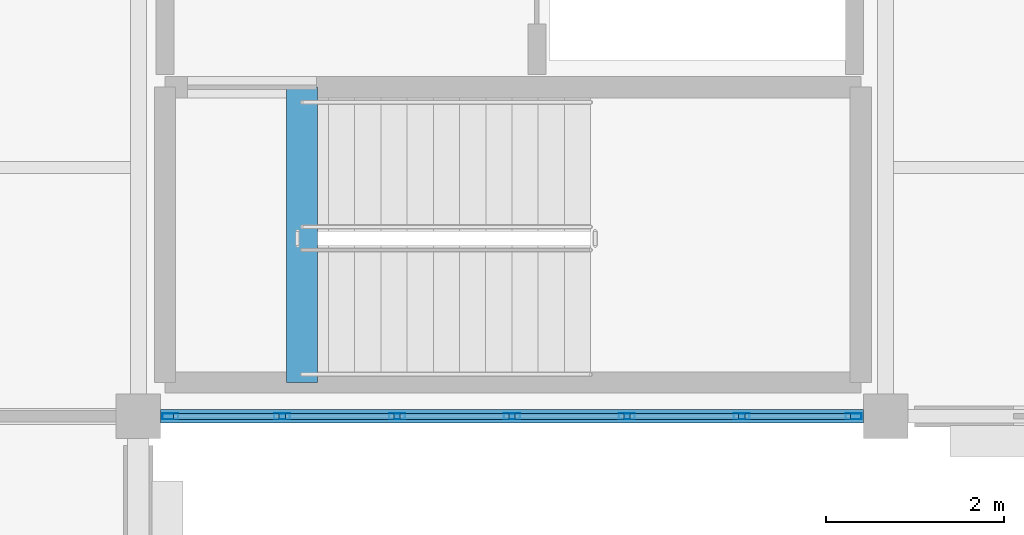
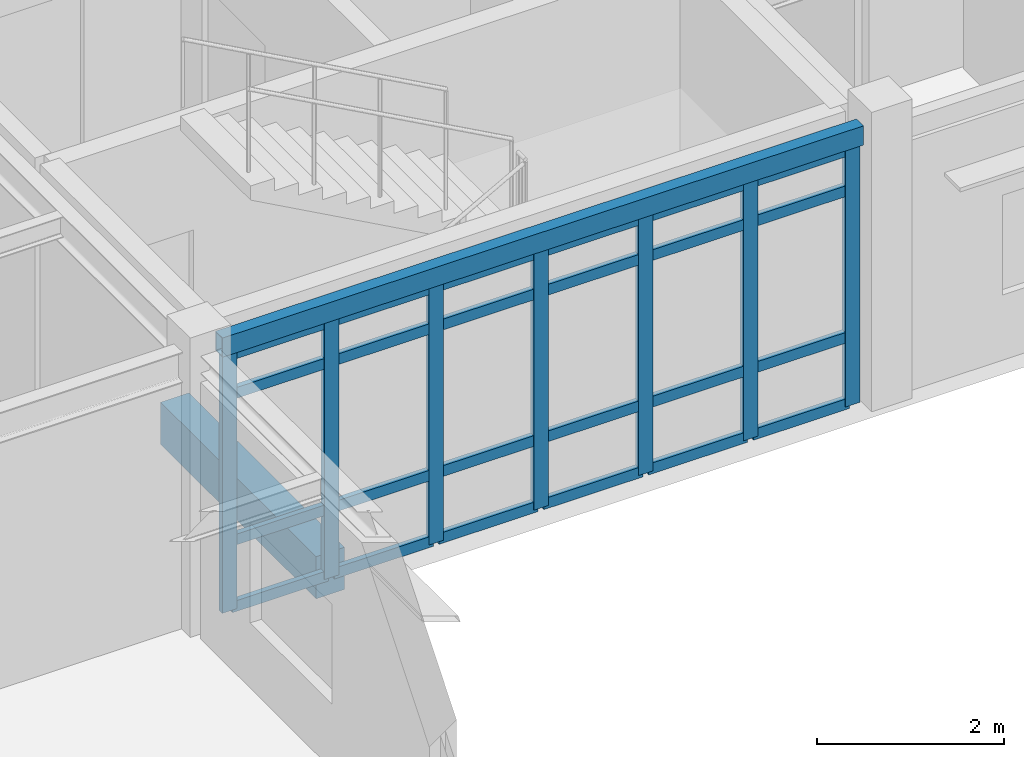
# One storey, part 20 of 53: 31 members, 2 beams, 1 element without a shape of its own.
"""IFC4 building model written with IfcOpenShell, lengths in metres."""

import ifcopenshell
import ifcopenshell.guid

model = None  # the IFC model being written
_history = None  # IfcOwnerHistory: only IFC2X3 demands one
_inside = {}  # id of a spatial element -> (the spatial element, [elements in it])
_under = {}  # id of a project, library or spatial element -> (it, [spatial elements below it])
_declared = {}  # id of a project -> (the project, [libraries it declares])
_typed = {}  # id of a type object -> (the type object, [elements of that type])
_made_of = {}  # id of a material, layer set ... -> (it, [elements and type objects made of it])


def new_model(schema):
    """Start an empty IFC model of exactly this schema.

    Asked for "IFC4X3", IfcOpenShell would pick the latest addendum, in which some entities
    have other attributes; the version numbers below select the first issue.
    IFC2X3 requires an IfcOwnerHistory on every rooted entity: one is made here for all.
    """
    global model, _history
    if schema == "IFC4X3":
        model = ifcopenshell.file(schema_version=(4, 3, 0, 0))
    else:
        model = ifcopenshell.file(schema=schema)
    _inside.clear()
    _under.clear()
    _declared.clear()
    _typed.clear()
    _made_of.clear()
    _history = None
    if model.schema == "IFC2X3":
        org = make("IfcOrganization", Name="unknown")
        user = make(
            "IfcPersonAndOrganization",
            ThePerson=make("IfcPerson", FamilyName="unknown"),
            TheOrganization=org,
        )
        app = make(
            "IfcApplication",
            ApplicationDeveloper=org,
            Version="unknown",
            ApplicationFullName="unknown",
            ApplicationIdentifier="unknown",
        )
        _history = make(
            "IfcOwnerHistory",
            OwningUser=user,
            OwningApplication=app,
            ChangeAction="ADDED",
            CreationDate=0,
        )
    return model


def make(cls, **values):
    """One entity of the class cls with the attributes given. An attribute that is None is left unset."""
    return model.create_entity(
        cls, **{name: value for name, value in values.items() if value is not None}
    )


def rooted(cls, **values):
    """An entity with a GlobalId (a new one), such as an element, a storey or a relation."""
    return make(cls, GlobalId=ifcopenshell.guid.new(), OwnerHistory=_history, **values)


def si_unit(unit_type, name, prefix=None):
    """IfcSIUnit, for example si_unit("LENGTHUNIT", "METRE", prefix="MILLI")."""
    return make("IfcSIUnit", UnitType=unit_type, Prefix=prefix, Name=name)


def assignment(units):
    """IfcUnitAssignment: the units of a project."""
    return None if units is None else make("IfcUnitAssignment", Units=units)


def point(xyz):
    """IfcCartesianPoint."""
    return None if xyz is None else make("IfcCartesianPoint", Coordinates=xyz)


def direction(xyz):
    """IfcDirection."""
    return None if xyz is None else make("IfcDirection", DirectionRatios=xyz)


def frame(location, z_axis=None, x_axis=None):
    """IfcAxis2Placement3D, a coordinate frame: its origin and axes. An axis left out is left unset."""
    return make(
        "IfcAxis2Placement3D",
        Location=point(location),
        Axis=direction(z_axis),
        RefDirection=direction(x_axis),
    )


def frame_2d(location, x_axis=None):
    """IfcAxis2Placement2D, a coordinate frame in the plane: its origin and x axis."""
    return make(
        "IfcAxis2Placement2D", Location=point(location), RefDirection=direction(x_axis)
    )


def origin():
    """The frame at (0, 0, 0) with its axes left unset."""
    return frame((0.0, 0.0, 0.0))


def origin_2d():
    """The frame at (0, 0) in the plane with its x axis left unset."""
    return frame_2d((0.0, 0.0))


def place(relative_to, where):
    """IfcLocalPlacement: puts the frame where relative to a parent placement (None: the world)."""
    return make(
        "IfcLocalPlacement", PlacementRelTo=relative_to, RelativePlacement=where
    )


def context(
    kind, dimensions, precision=None, world=None, true_north=None, identifier=None
):
    """IfcGeometricRepresentationContext, for example the 3D "Model" context."""
    return make(
        "IfcGeometricRepresentationContext",
        ContextIdentifier=identifier,
        ContextType=kind,
        CoordinateSpaceDimension=dimensions,
        Precision=precision,
        WorldCoordinateSystem=world,
        TrueNorth=true_north,
    )


def subcontext(parent, identifier, kind, view, scale=None):
    """IfcGeometricRepresentationSubContext, for example "Body" below "Model"."""
    return make(
        "IfcGeometricRepresentationSubContext",
        ContextIdentifier=identifier,
        ContextType=kind,
        ParentContext=parent,
        TargetScale=scale,
        TargetView=view,
    )


def project(units=None, contexts=None):
    """IfcProject with its units and contexts."""
    return rooted(
        "IfcProject",
        Name="project",
        RepresentationContexts=contexts,
        UnitsInContext=assignment(units),
    )


def spatial(cls, under=None, at=None, **own):
    """A site, building, storey or space (cls), placed at a placement, below another one or the project."""
    s = rooted(cls, ObjectPlacement=at, **own)
    if under is not None:
        _under.setdefault(under.id(), (under, []))[1].append(s)
    return s


def profile(cls, at=None, kind="AREA", **sizes):
    """A parametric profile (cls). Its sizes go by their IFC names, for example OverallWidth=200.0."""
    return make(cls, ProfileType=kind, Position=at, **sizes)


def rectangle(**sizes):
    """IfcRectangleProfileDef."""
    return profile("IfcRectangleProfileDef", **sizes)


def hollow_rectangle(**sizes):
    """IfcRectangleHollowProfileDef."""
    return profile("IfcRectangleHollowProfileDef", **sizes)


def extrude(swept, where, along, depth):
    """IfcExtrudedAreaSolid: the profile swept, set in the frame where, extruded along a direction by depth."""
    return make(
        "IfcExtrudedAreaSolid",
        SweptArea=swept,
        Position=where,
        ExtrudedDirection=direction(along),
        Depth=depth,
    )


def shape(context_of_items, identifier, shape_type, items):
    """IfcShapeRepresentation: the items that make up one representation, for example the "Body"."""
    return make(
        "IfcShapeRepresentation",
        ContextOfItems=context_of_items,
        RepresentationIdentifier=identifier,
        RepresentationType=shape_type,
        Items=items,
    )


def material(Name=None, Category=None):
    """IfcMaterial."""
    return make("IfcMaterial", Name=Name, Category=Category)


def layer(
    of_material, thickness, ventilated=None, Name=None, Category=None, Priority=None
):
    """IfcMaterialLayer: one layer of a wall or slab, of a material (None: an air gap)."""
    return make(
        "IfcMaterialLayer",
        Material=of_material,
        LayerThickness=thickness,
        IsVentilated=ventilated,
        Name=Name,
        Category=Category,
        Priority=Priority,
    )


def layer_set(layers, Name=None):
    """IfcMaterialLayerSet."""
    return make("IfcMaterialLayerSet", MaterialLayers=layers, LayerSetName=Name)


def material_profile(
    of_material, cross_section, Name=None, Category=None, Priority=None
):
    """IfcMaterialProfile: a cross section and its material."""
    return make(
        "IfcMaterialProfile",
        Name=Name,
        Material=of_material,
        Profile=cross_section,
        Priority=Priority,
        Category=Category,
    )


def profile_set(profiles, Name=None, composite=None):
    """IfcMaterialProfileSet."""
    return make(
        "IfcMaterialProfileSet",
        Name=Name,
        MaterialProfiles=profiles,
        CompositeProfile=composite,
    )


def made_of(thing, what):
    """Note that an element or type object is made of a material, layer set ...; save() writes the relation."""
    if what is not None:
        _made_of.setdefault(what.id(), (what, []))[1].append(thing)
    return thing


def type_object(cls, material=None, **own):
    """A type object (cls), such as IfcWallType, which elements share."""
    return made_of(rooted(cls, **own), material)


def element(
    cls,
    number,
    at=None,
    inside=None,
    cuts=None,
    type_object=None,
    material=None,
    context=None,
    identifier="Body",
    shape_type=None,
    held_by="IfcProductDefinitionShape",
    body=None,
    shapes=None,
    **own,
):
    """One element of the class cls, such as IfcWall. Its Tag is "e" and its number.

    at: its placement. inside: the storey or other place that contains it. cuts: it is an
    opening in that element (IfcRelVoidsElement). A single representation is given by context,
    identifier, shape_type and body (its items); several are given by shapes. held_by: the class
    of the entity that holds the representations. save() writes the other relations.
    """
    e = rooted(cls, Tag="e%d" % number, ObjectPlacement=at, **own)
    if body is not None:
        shapes = [shape(context, identifier, shape_type, body)]
    if shapes is not None:
        e.Representation = make(held_by, Representations=shapes)
    if inside is not None:
        _inside.setdefault(inside.id(), (inside, []))[1].append(e)
    if cuts is not None:
        rooted(
            "IfcRelVoidsElement", RelatingBuildingElement=cuts, RelatedOpeningElement=e
        )
    if type_object is not None:
        _typed.setdefault(type_object.id(), (type_object, []))[1].append(e)
    return made_of(e, material)


def aggregate(whole, parts):
    """IfcRelAggregates: a whole, such as a stair, and the parts it consists of."""
    return rooted("IfcRelAggregates", RelatingObject=whole, RelatedObjects=parts)


def save(model, path):
    """Write the relations noted so far, then the file.

    IfcRelAggregates (storeys below a building ...), IfcRelContainedInSpatialStructure (elements
    in a storey), IfcRelDefinesByType, IfcRelAssociatesMaterial and IfcRelDeclares: one each for
    every whole, place, type object, material and project.
    """
    for whole, parts in _under.values():
        aggregate(whole, parts)
    for where, things in _inside.values():
        rooted(
            "IfcRelContainedInSpatialStructure",
            RelatedElements=things,
            RelatingStructure=where,
        )
    for kind, things in _typed.values():
        rooted("IfcRelDefinesByType", RelatedObjects=things, RelatingType=kind)
    for what, things in _made_of.values():
        rooted("IfcRelAssociatesMaterial", RelatedObjects=things, RelatingMaterial=what)
    for by, libraries in _declared.values():
        rooted("IfcRelDeclares", RelatingContext=by, RelatedDefinitions=libraries)
    model.write(path)


model = new_model("IFC4")

# Units and contexts
model_context = context("Model", 3, precision=1e-05, world=origin(), true_north=direction((0.0, 1.0)))
body_context = subcontext(model_context, "Body", "Model", "MODEL_VIEW")
ifc_project = project(units=[si_unit("LENGTHUNIT", "METRE"), si_unit("AREAUNIT", "SQUARE_METRE"), si_unit("VOLUMEUNIT", "CUBIC_METRE"), si_unit("PLANEANGLEUNIT", "RADIAN"), si_unit("MASSUNIT", "GRAM", prefix="KILO")], contexts=[model_context])

# Site, building, storey
site_placement = place(None, origin())
site = spatial("IfcSite", under=ifc_project, at=site_placement, CompositionType="ELEMENT")
building_placement = place(site_placement, origin())
building = spatial("IfcBuilding", under=site, at=building_placement, Name="Bramfleet General Hospital", CompositionType="ELEMENT")
storey_placement = place(building_placement, frame((0.0, 0.0, 26.39990234375)))
storey = spatial("IfcBuildingStorey", under=building, at=storey_placement, Name="L06", CompositionType="ELEMENT", Elevation=26.39990234375)

# Beams
ifc_material_1 = material(Name="Concrete C35/45", Category="concrete")
ifc_material_profile_1 = material_profile(ifc_material_1, rectangle(XDim=0.35009765625, YDim=0.550048828125, at=origin_2d()), Name="RC BM 550x350")
ifc_profile_set_1 = profile_set([ifc_material_profile_1], Name="Concrete C35/45")
beam_type_1 = type_object("IfcBeamType", Name="BM-RC550", PredefinedType="BEAM", material=ifc_profile_set_1)
beam_1_placement = place(storey_placement, frame((119.43994140625, 92.780029296875, -0.27490234375), z_axis=(0.0, 1.0, 0.0), x_axis=(-1.0, 0.0, 0.0)))
element("IfcBeam", 1, at=beam_1_placement, inside=storey, type_object=beam_type_1, Name="L06 C6 Stairwell Trimmer Beam", PredefinedType="BEAM", context=body_context, shape_type="SweptSolid", body=[
    extrude(rectangle(XDim=0.35009765625, YDim=0.550048828125, at=origin_2d()), origin(), (0.0, 0.0, 1.0), 3.320068359375),
])
ifc_material_2 = material(Name="Steel S355", Category="steel")
ifc_material_profile_2 = material_profile(ifc_material_2, hollow_rectangle(XDim=0.14990234375, YDim=0.25, WallThickness=0.010009765625, at=origin_2d()), Name="RHS 250x150x10.0")
ifc_profile_set_2 = profile_set([ifc_material_profile_2], Name="Steel S355")
beam_type_2 = type_object("IfcBeamType", Name="BM-RHS250", PredefinedType="SPANDREL", material=ifc_profile_set_2)
beam_2_placement = place(storey_placement, frame((117.85009765625, 92.39990234375, 3.4951171875), z_axis=(1.0, 0.0, 0.0), x_axis=(0.0, 1.0, 0.0)))
element("IfcBeam", 2, at=beam_2_placement, inside=storey, type_object=beam_type_2, Name="L06 Grid Beam X 14-11", PredefinedType="SPANDREL", context=body_context, shape_type="SweptSolid", body=[
    extrude(hollow_rectangle(XDim=0.14990234375, YDim=0.25, WallThickness=0.010009765625, at=origin_2d()), origin(), (0.0, 0.0, 1.0), 7.89990234375),
])

# Curtain wall, members
ifc_material_3 = material(Name="Anodised aluminium and low-E triple glazing", Category="aluminium")
ifc_layer = layer(ifc_material_3, 0.179931640625, Name="CWT-CW-01")
ifc_layer_set = layer_set([ifc_layer], Name="Anodised aluminium and low-E triple glazing")
curtain_wall_type = type_object("IfcCurtainWallType", Name="CWT-CW-01", PredefinedType="USERDEFINED", material=ifc_layer_set)
curtain_wall_placement = place(storey_placement, origin())
curtain_wall = element("IfcCurtainWall", 3, at=curtain_wall_placement, inside=storey, type_object=curtain_wall_type, Name="L06 Curtain Wall 217", ObjectType="Unitised curtain wall", PredefinedType="USERDEFINED")
ifc_material_4 = material(Name="Anodised aluminium EN AW-6060", Category="aluminium")
ifc_material_profile_3 = material_profile(ifc_material_4, hollow_rectangle(XDim=0.070068359375, YDim=0.179931640625, WallThickness=0.00390625, at=origin_2d()), Name="ALU 180x70x4.0")
ifc_profile_set_3 = profile_set([ifc_material_profile_3], Name="Anodised aluminium EN AW-6060")
member_type_1 = type_object("IfcMemberType", Name="CWM-ALU180", PredefinedType="MULLION", material=ifc_profile_set_3)
member_1_placement = place(storey_placement, frame((125.639892578125, 92.39990234375, 0.0), z_axis=(0.0, 0.0, 1.0), x_axis=(0.0, -1.0, 0.0)))
member_1 = element("IfcMember", 4, at=member_1_placement, type_object=member_type_1, Name="CW-01 mullion 1", PredefinedType="MULLION", context=body_context, shape_type="SweptSolid", body=[
    extrude(hollow_rectangle(XDim=0.070068359375, YDim=0.179931640625, WallThickness=0.00390625, at=origin_2d()), origin(), (0.0, 0.0, 1.0), 3.360107421875),
])
member_2_placement = place(storey_placement, frame((124.38330078125, 92.39990234375, 0.0), z_axis=(0.0, 0.0, 1.0), x_axis=(0.0, -1.0, 0.0)))
member_2 = element("IfcMember", 5, at=member_2_placement, type_object=member_type_1, Name="CW-01 mullion 2", PredefinedType="MULLION", context=body_context, shape_type="SweptSolid", body=[
    extrude(hollow_rectangle(XDim=0.070068359375, YDim=0.179931640625, WallThickness=0.00390625, at=origin_2d()), origin(), (0.0, 0.0, 1.0), 3.360107421875),
])
member_3_placement = place(storey_placement, frame((123.091552734375, 92.39990234375, 0.0), z_axis=(0.0, 0.0, 1.0), x_axis=(0.0, -1.0, 0.0)))
member_3 = element("IfcMember", 6, at=member_3_placement, type_object=member_type_1, Name="CW-01 mullion 3", PredefinedType="MULLION", context=body_context, shape_type="SweptSolid", body=[
    extrude(hollow_rectangle(XDim=0.070068359375, YDim=0.179931640625, WallThickness=0.00390625, at=origin_2d()), origin(), (0.0, 0.0, 1.0), 3.360107421875),
])
member_4_placement = place(storey_placement, frame((121.800048828125, 92.39990234375, 0.0), z_axis=(0.0, 0.0, 1.0), x_axis=(0.0, -1.0, 0.0)))
member_4 = element("IfcMember", 7, at=member_4_placement, type_object=member_type_1, Name="CW-01 mullion 4", PredefinedType="MULLION", context=body_context, shape_type="SweptSolid", body=[
    extrude(hollow_rectangle(XDim=0.070068359375, YDim=0.179931640625, WallThickness=0.00390625, at=origin_2d()), origin(), (0.0, 0.0, 1.0), 3.360107421875),
])
member_5_placement = place(storey_placement, frame((120.50830078125, 92.39990234375, 0.0), z_axis=(0.0, 0.0, 1.0), x_axis=(0.0, -1.0, 0.0)))
member_5 = element("IfcMember", 8, at=member_5_placement, type_object=member_type_1, Name="CW-01 mullion 5", PredefinedType="MULLION", context=body_context, shape_type="SweptSolid", body=[
    extrude(hollow_rectangle(XDim=0.070068359375, YDim=0.179931640625, WallThickness=0.00390625, at=origin_2d()), origin(), (0.0, 0.0, 1.0), 3.360107421875),
])
member_6_placement = place(storey_placement, frame((119.216552734375, 92.39990234375, 0.0), z_axis=(0.0, 0.0, 1.0), x_axis=(0.0, -1.0, 0.0)))
member_6 = element("IfcMember", 9, at=member_6_placement, type_object=member_type_1, Name="CW-01 mullion 6", PredefinedType="MULLION", context=body_context, shape_type="SweptSolid", body=[
    extrude(hollow_rectangle(XDim=0.070068359375, YDim=0.179931640625, WallThickness=0.00390625, at=origin_2d()), origin(), (0.0, 0.0, 1.0), 3.360107421875),
])
member_7_placement = place(storey_placement, frame((117.9599609375, 92.39990234375, 0.0), z_axis=(0.0, 0.0, 1.0), x_axis=(0.0, -1.0, 0.0)))
member_7 = element("IfcMember", 10, at=member_7_placement, type_object=member_type_1, Name="CW-01 mullion 7", PredefinedType="MULLION", context=body_context, shape_type="SweptSolid", body=[
    extrude(hollow_rectangle(XDim=0.070068359375, YDim=0.179931640625, WallThickness=0.00390625, at=origin_2d()), origin(), (0.0, 0.0, 1.0), 3.360107421875),
])
ifc_material_profile_4 = material_profile(ifc_material_4, hollow_rectangle(XDim=0.06494140625, YDim=0.139892578125, WallThickness=0.00390625, at=origin_2d()), Name="ALU 140x65x4.0")
ifc_profile_set_4 = profile_set([ifc_material_profile_4], Name="Anodised aluminium EN AW-6060")
member_type_2 = type_object("IfcMemberType", Name="CWT-ALU140", PredefinedType="USERDEFINED", material=ifc_profile_set_4)
member_8_placement = place(storey_placement, frame((125.60498046875, 92.39990234375, 0.03271484375), z_axis=(-1.0, 0.0, 0.0), x_axis=(0.0, -1.0, 0.0)))
member_8 = element("IfcMember", 11, at=member_8_placement, type_object=member_type_2, Name="CW-01 transom 1.1", ObjectType="TRANSOM", PredefinedType="USERDEFINED", context=body_context, shape_type="SweptSolid", body=[
    extrude(hollow_rectangle(XDim=0.06494140625, YDim=0.139892578125, WallThickness=0.00390625, at=origin_2d()), origin(), (0.0, 0.0, 1.0), 1.186767578125),
])
member_9_placement = place(storey_placement, frame((125.60498046875, 92.39990234375, 0.900146484375), z_axis=(-1.0, 0.0, 0.0), x_axis=(0.0, -1.0, 0.0)))
member_9 = element("IfcMember", 12, at=member_9_placement, type_object=member_type_2, Name="CW-01 transom 1.2", ObjectType="TRANSOM", PredefinedType="USERDEFINED", context=body_context, shape_type="SweptSolid", body=[
    extrude(hollow_rectangle(XDim=0.06494140625, YDim=0.139892578125, WallThickness=0.00390625, at=origin_2d()), origin(), (0.0, 0.0, 1.0), 1.186767578125),
])
member_10_placement = place(storey_placement, frame((125.60498046875, 92.39990234375, 2.81005859375), z_axis=(-1.0, 0.0, 0.0), x_axis=(0.0, -1.0, 0.0)))
member_10 = element("IfcMember", 13, at=member_10_placement, type_object=member_type_2, Name="CW-01 transom 1.3", ObjectType="TRANSOM", PredefinedType="USERDEFINED", context=body_context, shape_type="SweptSolid", body=[
    extrude(hollow_rectangle(XDim=0.06494140625, YDim=0.139892578125, WallThickness=0.00390625, at=origin_2d()), origin(), (0.0, 0.0, 1.0), 1.186767578125),
])
member_11_placement = place(storey_placement, frame((125.60498046875, 92.39990234375, 3.32763671875), z_axis=(-1.0, 0.0, 0.0), x_axis=(0.0, -1.0, 0.0)))
member_11 = element("IfcMember", 14, at=member_11_placement, type_object=member_type_2, Name="CW-01 transom 1.4", ObjectType="TRANSOM", PredefinedType="USERDEFINED", context=body_context, shape_type="SweptSolid", body=[
    extrude(hollow_rectangle(XDim=0.06494140625, YDim=0.139892578125, WallThickness=0.00390625, at=origin_2d()), origin(), (0.0, 0.0, 1.0), 1.186767578125),
])
member_12_placement = place(storey_placement, frame((124.348388671875, 92.39990234375, 0.03271484375), z_axis=(-1.0, 0.0, 0.0), x_axis=(0.0, -1.0, 0.0)))
member_12 = element("IfcMember", 15, at=member_12_placement, type_object=member_type_2, Name="CW-01 transom 2.1", ObjectType="TRANSOM", PredefinedType="USERDEFINED", context=body_context, shape_type="SweptSolid", body=[
    extrude(hollow_rectangle(XDim=0.06494140625, YDim=0.139892578125, WallThickness=0.00390625, at=origin_2d()), origin(), (0.0, 0.0, 1.0), 1.2216796875),
])
member_13_placement = place(storey_placement, frame((124.348388671875, 92.39990234375, 0.900146484375), z_axis=(-1.0, 0.0, 0.0), x_axis=(0.0, -1.0, 0.0)))
member_13 = element("IfcMember", 16, at=member_13_placement, type_object=member_type_2, Name="CW-01 transom 2.2", ObjectType="TRANSOM", PredefinedType="USERDEFINED", context=body_context, shape_type="SweptSolid", body=[
    extrude(hollow_rectangle(XDim=0.06494140625, YDim=0.139892578125, WallThickness=0.00390625, at=origin_2d()), origin(), (0.0, 0.0, 1.0), 1.2216796875),
])
member_14_placement = place(storey_placement, frame((124.348388671875, 92.39990234375, 2.81005859375), z_axis=(-1.0, 0.0, 0.0), x_axis=(0.0, -1.0, 0.0)))
member_14 = element("IfcMember", 17, at=member_14_placement, type_object=member_type_2, Name="CW-01 transom 2.3", ObjectType="TRANSOM", PredefinedType="USERDEFINED", context=body_context, shape_type="SweptSolid", body=[
    extrude(hollow_rectangle(XDim=0.06494140625, YDim=0.139892578125, WallThickness=0.00390625, at=origin_2d()), origin(), (0.0, 0.0, 1.0), 1.2216796875),
])
member_15_placement = place(storey_placement, frame((124.348388671875, 92.39990234375, 3.32763671875), z_axis=(-1.0, 0.0, 0.0), x_axis=(0.0, -1.0, 0.0)))
member_15 = element("IfcMember", 18, at=member_15_placement, type_object=member_type_2, Name="CW-01 transom 2.4", ObjectType="TRANSOM", PredefinedType="USERDEFINED", context=body_context, shape_type="SweptSolid", body=[
    extrude(hollow_rectangle(XDim=0.06494140625, YDim=0.139892578125, WallThickness=0.00390625, at=origin_2d()), origin(), (0.0, 0.0, 1.0), 1.2216796875),
])
member_16_placement = place(storey_placement, frame((123.056640625, 92.39990234375, 0.03271484375), z_axis=(-1.0, 0.0, 0.0), x_axis=(0.0, -1.0, 0.0)))
member_16 = element("IfcMember", 19, at=member_16_placement, type_object=member_type_2, Name="CW-01 transom 3.1", ObjectType="TRANSOM", PredefinedType="USERDEFINED", context=body_context, shape_type="SweptSolid", body=[
    extrude(hollow_rectangle(XDim=0.06494140625, YDim=0.139892578125, WallThickness=0.00390625, at=origin_2d()), origin(), (0.0, 0.0, 1.0), 1.2216796875),
])
member_17_placement = place(storey_placement, frame((123.056640625, 92.39990234375, 0.900146484375), z_axis=(-1.0, 0.0, 0.0), x_axis=(0.0, -1.0, 0.0)))
member_17 = element("IfcMember", 20, at=member_17_placement, type_object=member_type_2, Name="CW-01 transom 3.2", ObjectType="TRANSOM", PredefinedType="USERDEFINED", context=body_context, shape_type="SweptSolid", body=[
    extrude(hollow_rectangle(XDim=0.06494140625, YDim=0.139892578125, WallThickness=0.00390625, at=origin_2d()), origin(), (0.0, 0.0, 1.0), 1.2216796875),
])
member_18_placement = place(storey_placement, frame((123.056640625, 92.39990234375, 2.81005859375), z_axis=(-1.0, 0.0, 0.0), x_axis=(0.0, -1.0, 0.0)))
member_18 = element("IfcMember", 21, at=member_18_placement, type_object=member_type_2, Name="CW-01 transom 3.3", ObjectType="TRANSOM", PredefinedType="USERDEFINED", context=body_context, shape_type="SweptSolid", body=[
    extrude(hollow_rectangle(XDim=0.06494140625, YDim=0.139892578125, WallThickness=0.00390625, at=origin_2d()), origin(), (0.0, 0.0, 1.0), 1.2216796875),
])
member_19_placement = place(storey_placement, frame((123.056640625, 92.39990234375, 3.32763671875), z_axis=(-1.0, 0.0, 0.0), x_axis=(0.0, -1.0, 0.0)))
member_19 = element("IfcMember", 22, at=member_19_placement, type_object=member_type_2, Name="CW-01 transom 3.4", ObjectType="TRANSOM", PredefinedType="USERDEFINED", context=body_context, shape_type="SweptSolid", body=[
    extrude(hollow_rectangle(XDim=0.06494140625, YDim=0.139892578125, WallThickness=0.00390625, at=origin_2d()), origin(), (0.0, 0.0, 1.0), 1.2216796875),
])
member_20_placement = place(storey_placement, frame((121.764892578125, 92.39990234375, 0.03271484375), z_axis=(-1.0, 0.0, 0.0), x_axis=(0.0, -1.0, 0.0)))
member_20 = element("IfcMember", 23, at=member_20_placement, type_object=member_type_2, Name="CW-01 transom 4.1", ObjectType="TRANSOM", PredefinedType="USERDEFINED", context=body_context, shape_type="SweptSolid", body=[
    extrude(hollow_rectangle(XDim=0.06494140625, YDim=0.139892578125, WallThickness=0.00390625, at=origin_2d()), origin(), (0.0, 0.0, 1.0), 1.2216796875),
])
member_21_placement = place(storey_placement, frame((121.764892578125, 92.39990234375, 0.900146484375), z_axis=(-1.0, 0.0, 0.0), x_axis=(0.0, -1.0, 0.0)))
member_21 = element("IfcMember", 24, at=member_21_placement, type_object=member_type_2, Name="CW-01 transom 4.2", ObjectType="TRANSOM", PredefinedType="USERDEFINED", context=body_context, shape_type="SweptSolid", body=[
    extrude(hollow_rectangle(XDim=0.06494140625, YDim=0.139892578125, WallThickness=0.00390625, at=origin_2d()), origin(), (0.0, 0.0, 1.0), 1.2216796875),
])
member_22_placement = place(storey_placement, frame((121.764892578125, 92.39990234375, 2.81005859375), z_axis=(-1.0, 0.0, 0.0), x_axis=(0.0, -1.0, 0.0)))
member_22 = element("IfcMember", 25, at=member_22_placement, type_object=member_type_2, Name="CW-01 transom 4.3", ObjectType="TRANSOM", PredefinedType="USERDEFINED", context=body_context, shape_type="SweptSolid", body=[
    extrude(hollow_rectangle(XDim=0.06494140625, YDim=0.139892578125, WallThickness=0.00390625, at=origin_2d()), origin(), (0.0, 0.0, 1.0), 1.2216796875),
])
member_23_placement = place(storey_placement, frame((121.764892578125, 92.39990234375, 3.32763671875), z_axis=(-1.0, 0.0, 0.0), x_axis=(0.0, -1.0, 0.0)))
member_23 = element("IfcMember", 26, at=member_23_placement, type_object=member_type_2, Name="CW-01 transom 4.4", ObjectType="TRANSOM", PredefinedType="USERDEFINED", context=body_context, shape_type="SweptSolid", body=[
    extrude(hollow_rectangle(XDim=0.06494140625, YDim=0.139892578125, WallThickness=0.00390625, at=origin_2d()), origin(), (0.0, 0.0, 1.0), 1.2216796875),
])
member_24_placement = place(storey_placement, frame((120.473388671875, 92.39990234375, 0.03271484375), z_axis=(-1.0, 0.0, 0.0), x_axis=(0.0, -1.0, 0.0)))
member_24 = element("IfcMember", 27, at=member_24_placement, type_object=member_type_2, Name="CW-01 transom 5.1", ObjectType="TRANSOM", PredefinedType="USERDEFINED", context=body_context, shape_type="SweptSolid", body=[
    extrude(hollow_rectangle(XDim=0.06494140625, YDim=0.139892578125, WallThickness=0.00390625, at=origin_2d()), origin(), (0.0, 0.0, 1.0), 1.2216796875),
])
member_25_placement = place(storey_placement, frame((120.473388671875, 92.39990234375, 0.900146484375), z_axis=(-1.0, 0.0, 0.0), x_axis=(0.0, -1.0, 0.0)))
member_25 = element("IfcMember", 28, at=member_25_placement, type_object=member_type_2, Name="CW-01 transom 5.2", ObjectType="TRANSOM", PredefinedType="USERDEFINED", context=body_context, shape_type="SweptSolid", body=[
    extrude(hollow_rectangle(XDim=0.06494140625, YDim=0.139892578125, WallThickness=0.00390625, at=origin_2d()), origin(), (0.0, 0.0, 1.0), 1.2216796875),
])
member_26_placement = place(storey_placement, frame((120.473388671875, 92.39990234375, 2.81005859375), z_axis=(-1.0, 0.0, 0.0), x_axis=(0.0, -1.0, 0.0)))
member_26 = element("IfcMember", 29, at=member_26_placement, type_object=member_type_2, Name="CW-01 transom 5.3", ObjectType="TRANSOM", PredefinedType="USERDEFINED", context=body_context, shape_type="SweptSolid", body=[
    extrude(hollow_rectangle(XDim=0.06494140625, YDim=0.139892578125, WallThickness=0.00390625, at=origin_2d()), origin(), (0.0, 0.0, 1.0), 1.2216796875),
])
member_27_placement = place(storey_placement, frame((120.473388671875, 92.39990234375, 3.32763671875), z_axis=(-1.0, 0.0, 0.0), x_axis=(0.0, -1.0, 0.0)))
member_27 = element("IfcMember", 30, at=member_27_placement, type_object=member_type_2, Name="CW-01 transom 5.4", ObjectType="TRANSOM", PredefinedType="USERDEFINED", context=body_context, shape_type="SweptSolid", body=[
    extrude(hollow_rectangle(XDim=0.06494140625, YDim=0.139892578125, WallThickness=0.00390625, at=origin_2d()), origin(), (0.0, 0.0, 1.0), 1.2216796875),
])
member_28_placement = place(storey_placement, frame((119.181640625, 92.39990234375, 0.03271484375), z_axis=(-1.0, 0.0, 0.0), x_axis=(0.0, -1.0, 0.0)))
member_28 = element("IfcMember", 31, at=member_28_placement, type_object=member_type_2, Name="CW-01 transom 6.1", ObjectType="TRANSOM", PredefinedType="USERDEFINED", context=body_context, shape_type="SweptSolid", body=[
    extrude(hollow_rectangle(XDim=0.06494140625, YDim=0.139892578125, WallThickness=0.00390625, at=origin_2d()), origin(), (0.0, 0.0, 1.0), 1.1865234375),
])
member_29_placement = place(storey_placement, frame((119.181640625, 92.39990234375, 0.900146484375), z_axis=(-1.0, 0.0, 0.0), x_axis=(0.0, -1.0, 0.0)))
member_29 = element("IfcMember", 32, at=member_29_placement, type_object=member_type_2, Name="CW-01 transom 6.2", ObjectType="TRANSOM", PredefinedType="USERDEFINED", context=body_context, shape_type="SweptSolid", body=[
    extrude(hollow_rectangle(XDim=0.06494140625, YDim=0.139892578125, WallThickness=0.00390625, at=origin_2d()), origin(), (0.0, 0.0, 1.0), 1.1865234375),
])
member_30_placement = place(storey_placement, frame((119.181640625, 92.39990234375, 2.81005859375), z_axis=(-1.0, 0.0, 0.0), x_axis=(0.0, -1.0, 0.0)))
member_30 = element("IfcMember", 33, at=member_30_placement, type_object=member_type_2, Name="CW-01 transom 6.3", ObjectType="TRANSOM", PredefinedType="USERDEFINED", context=body_context, shape_type="SweptSolid", body=[
    extrude(hollow_rectangle(XDim=0.06494140625, YDim=0.139892578125, WallThickness=0.00390625, at=origin_2d()), origin(), (0.0, 0.0, 1.0), 1.1865234375),
])
member_31_placement = place(storey_placement, frame((119.181640625, 92.39990234375, 3.32763671875), z_axis=(-1.0, 0.0, 0.0), x_axis=(0.0, -1.0, 0.0)))
member_31 = element("IfcMember", 34, at=member_31_placement, type_object=member_type_2, Name="CW-01 transom 6.4", ObjectType="TRANSOM", PredefinedType="USERDEFINED", context=body_context, shape_type="SweptSolid", body=[
    extrude(hollow_rectangle(XDim=0.06494140625, YDim=0.139892578125, WallThickness=0.00390625, at=origin_2d()), origin(), (0.0, 0.0, 1.0), 1.1865234375),
])
aggregate(curtain_wall, [member_1, member_2, member_3, member_4, member_5, member_6, member_7, member_8, member_9, member_10, member_11, member_12, member_13, member_14, member_15, member_16, member_17, member_18, member_19, member_20, member_21, member_22, member_23, member_24, member_25, member_26, member_27, member_28, member_29, member_30, member_31])

save(model, "model.ifc")
